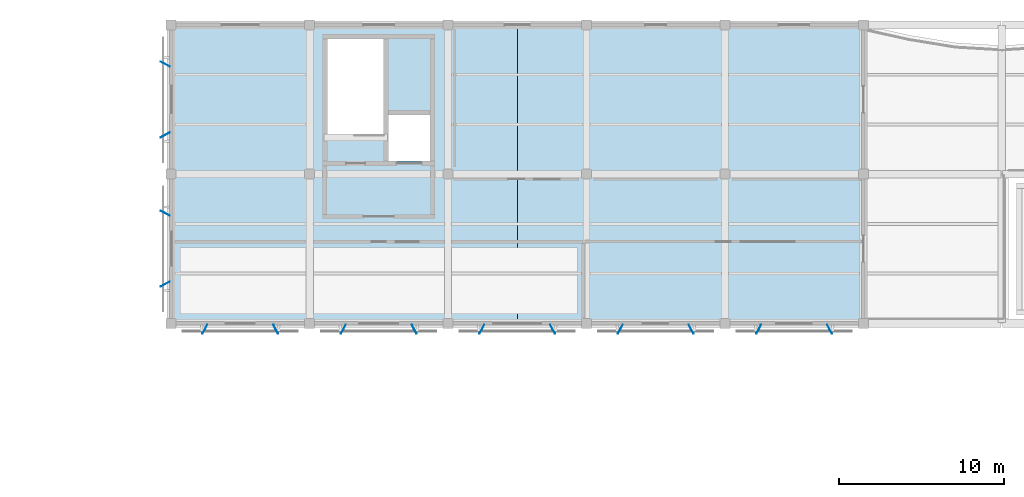
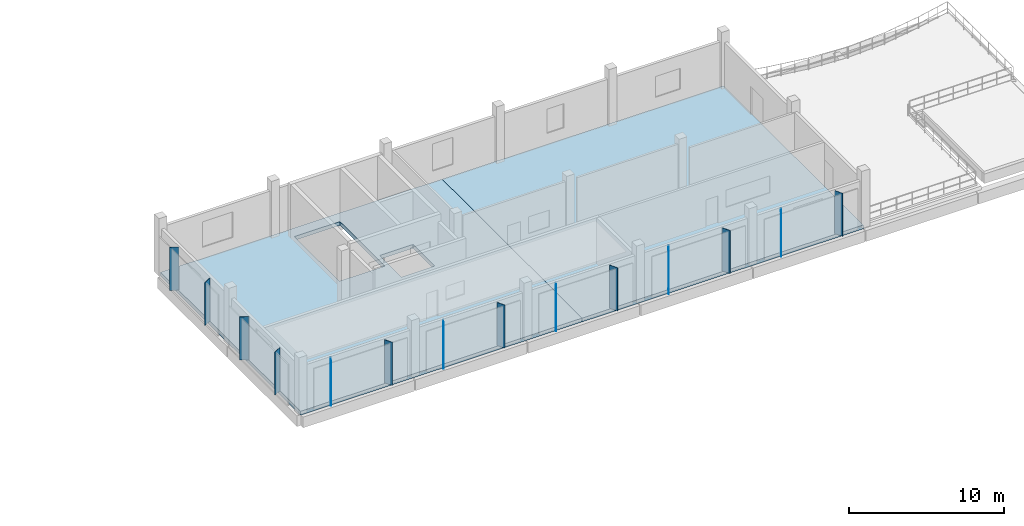
# One storey, part 13 of 28: 14 plates, 2 slabs.
"""IFC4 building model written with IfcOpenShell, lengths in metres."""

from ifc_helpers import new_model, si_unit, direction, frame, origin, origin_2d, place, context, subcontext, project, spatial, polyline, rectangle, outline, extrude, material, layer, layer_set, type_object, element, save


model = new_model("IFC4")

# Units and contexts
model_context = context("Model", 3, precision=1e-05, world=origin(), true_north=direction((0.0, 1.0)))
body_context = subcontext(model_context, "Body", "Model", "MODEL_VIEW")
ifc_project = project(units=[si_unit("LENGTHUNIT", "METRE"), si_unit("AREAUNIT", "SQUARE_METRE"), si_unit("VOLUMEUNIT", "CUBIC_METRE"), si_unit("PLANEANGLEUNIT", "RADIAN"), si_unit("MASSUNIT", "GRAM", prefix="KILO")], contexts=[model_context])

# Site, building, storey
site_placement = place(None, origin())
site = spatial("IfcSite", under=ifc_project, at=site_placement, CompositionType="ELEMENT")
building_placement = place(site_placement, origin())
building = spatial("IfcBuilding", under=site, at=building_placement, Name="Khurvash Pelagic Aquarium", CompositionType="ELEMENT")
storey_placement = place(building_placement, frame((0.0, 0.0, 20.10009765625)))
storey = spatial("IfcBuildingStorey", under=building, at=storey_placement, Name="L04", CompositionType="ELEMENT", Elevation=20.10009765625)

# Slabs
ifc_material_1 = material(Name="Concrete C40/50", Category="concrete")
ifc_layer_1 = layer(ifc_material_1, 0.300048828125)
ifc_layer_set_1 = layer_set([ifc_layer_1], Name="Concrete C40/50")
slab_type = type_object("IfcSlabType", Name="FS-300", PredefinedType="FLOOR", material=ifc_layer_set_1)
slab_1_placement = place(storey_placement, frame((0.0, 0.0, -0.300048828125)))
element("IfcSlab", 1, at=slab_1_placement, inside=storey, type_object=slab_type, Name="L04 Structural Floor Slab FS-300 V5_NORTH.1", PredefinedType="FLOOR", context=body_context, shape_type="SweptSolid", body=[
    extrude(outline(polyline([(58.800048828125, 84.050048828125), (79.800048828125, 84.050048828125), (79.800048828125, 102.14990234375), (58.800048828125, 102.14990234375), (58.800048828125, 84.050048828125)]), holes=[polyline([(71.699951171875, 101.300048828125), (71.699951171875, 95.5), (68.300048828125, 95.5), (68.300048828125, 101.300048828125), (71.699951171875, 101.300048828125)]), polyline([(74.5, 93.89990234375), (72.0, 93.89990234375), (72.0, 96.699951171875), (74.5, 96.699951171875), (74.5, 93.89990234375)])]), origin(), (0.0, 0.0, 1.0), 0.300048828125),
])
slab_2_placement = place(storey_placement, frame((0.0, 0.0, -0.300048828125)))
element("IfcSlab", 2, at=slab_2_placement, inside=storey, type_object=slab_type, Name="L04 Structural Floor Slab FS-300 V5_NORTH.2", PredefinedType="FLOOR", context=body_context, shape_type="SweptSolid", body=[
    extrude(outline(polyline([(79.800048828125, 102.14990234375), (79.800048828125, 84.050048828125), (100.800048828125, 84.050048828125), (100.800048828125, 102.14990234375), (79.800048828125, 102.14990234375)])), origin(), (0.0, 0.0, 1.0), 0.300048828125),
])

# Plates
ifc_material_2 = material(Name="Anodised aluminium AW-5005", Category="aluminium")
ifc_layer_2 = layer(ifc_material_2, 0.02392578125)
ifc_layer_set_2 = layer_set([ifc_layer_2], Name="Anodised aluminium AW-5005")
plate_type = type_object("IfcPlateType", Name="SP-01", PredefinedType="SHEET", material=ifc_layer_set_2)
for number, where, z_axis, x_axis, name in (
    (3, (60.85009765625, 83.69189453125, 0.14990234375), (0.0, 0.0, 1.0), (-0.469471562786, -0.882947592859, 0.0), "L04 Parametric Folded Aluminium Solar Screen Fin SP-01 0097"),
    (4, (65.14990234375, 83.69189453125, 0.14990234375), (0.0, 0.0, 1.0), (0.469471562786, -0.882947592859, 0.0), "L04 Parametric Folded Aluminium Solar Screen Fin SP-01 0098"),
    (5, (69.25, 83.69189453125, 0.14990234375), (0.0, 0.0, 1.0), (-0.469471562786, -0.882947592859, 0.0), "L04 Parametric Folded Aluminium Solar Screen Fin SP-01 0099"),
    (6, (73.550048828125, 83.69189453125, 0.14990234375), (0.0, 0.0, 1.0), (0.469471562786, -0.882947592859, 0.0), "L04 Parametric Folded Aluminium Solar Screen Fin SP-01 0100"),
    (7, (77.64990234375, 83.69189453125, 0.14990234375), (0.0, 0.0, 1.0), (-0.469471562786, -0.882947592859, 0.0), "L04 Parametric Folded Aluminium Solar Screen Fin SP-01 0101"),
    (8, (81.949951171875, 83.69189453125, 0.14990234375), (0.0, 0.0, 1.0), (0.469471562786, -0.882947592859, 0.0), "L04 Parametric Folded Aluminium Solar Screen Fin SP-01 0102"),
    (9, (86.050048828125, 83.69189453125, 0.14990234375), (0.0, 0.0, 1.0), (-0.469471562786, -0.882947592859, 0.0), "L04 Parametric Folded Aluminium Solar Screen Fin SP-01 0103"),
    (10, (90.35009765625, 83.69189453125, 0.14990234375), (0.0, 0.0, 1.0), (0.469471562786, -0.882947592859, 0.0), "L04 Parametric Folded Aluminium Solar Screen Fin SP-01 0104"),
    (11, (94.449951171875, 83.69189453125, 0.14990234375), (0.0, 0.0, 1.0), (-0.469471562786, -0.882947592859, 0.0), "L04 Parametric Folded Aluminium Solar Screen Fin SP-01 0105"),
    (12, (98.75, 83.69189453125, 0.14990234375), (0.0, 0.0, 1.0), (0.469471562786, -0.882947592859, 0.0), "L04 Parametric Folded Aluminium Solar Screen Fin SP-01 0106"),
    (13, (58.44189453125, 99.77490234375, 0.14990234375), (0.0, 0.0, 1.0), (-0.882947592859, 0.469471562786, 0.0), "L04 Parametric Folded Aluminium Solar Screen Fin SP-01 0107"),
    (14, (58.44189453125, 95.47509765625, 0.14990234375), (0.0, 0.0, 1.0), (-0.882947592859, -0.469471562786, 0.0), "L04 Parametric Folded Aluminium Solar Screen Fin SP-01 0108"),
    (15, (58.44189453125, 90.72509765625, 0.14990234375), (0.0, 0.0, 1.0), (-0.882947592859, 0.469471562786, 0.0), "L04 Parametric Folded Aluminium Solar Screen Fin SP-01 0109"),
    (16, (58.44189453125, 86.425048828125, 0.14990234375), (0.0, 0.0, 1.0), (-0.882947592859, -0.469471562786, 0.0), "L04 Parametric Folded Aluminium Solar Screen Fin SP-01 0110"),
):
    element("IfcPlate", number, at=place(storey_placement, frame(where, z_axis=z_axis, x_axis=x_axis)), inside=storey, type_object=plate_type, Name=name, PredefinedType="SHEET", context=body_context, shape_type="SweptSolid", body=[
        extrude(rectangle(XDim=0.6201171875, YDim=0.02392578125, at=origin_2d()), origin(), (0.0, 0.0, 1.0), 3.39990234375),
    ])

save(model, "model.ifc")
